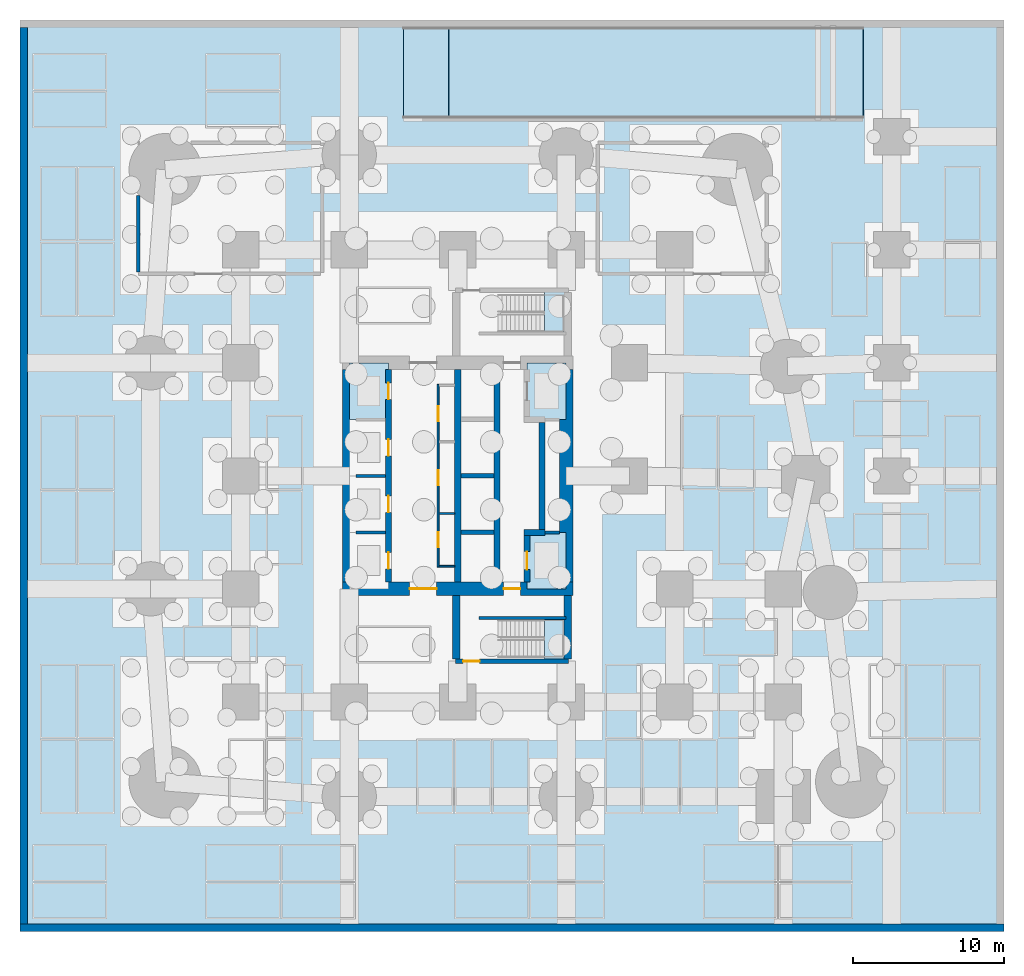
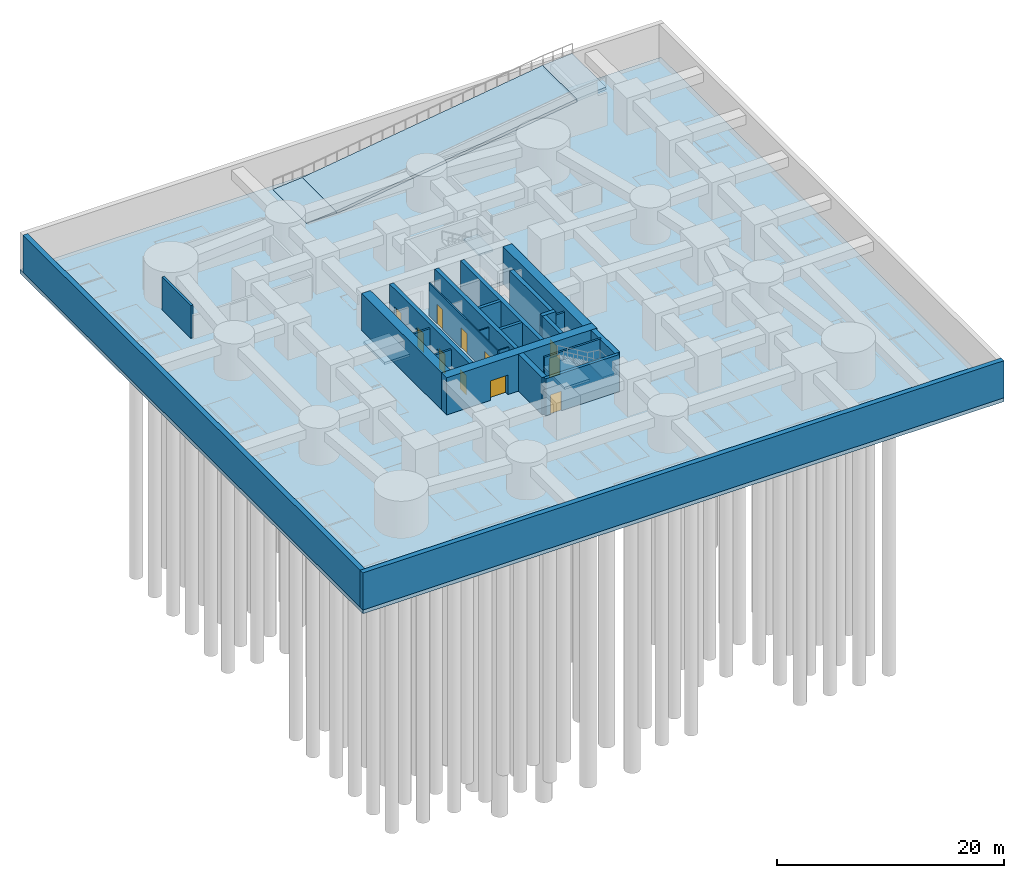
# One storey, part 3 of 10: 24 walls, 11 doors, 9 slabs, 11 openings, 3 elements without a shape of their own.
"""IFC4 building model written with IfcOpenShell, lengths in metres."""

from ifc_helpers import new_model, si_unit, direction, frame, frame_2d, origin, place, context, subcontext, project, spatial, polyline, rectangle, outline, extrude, material, layer, layer_set, type_object, element, fill, aggregate, save


model = new_model("IFC4")

# Units and contexts
model_context = context("Model", 3, precision=1e-05, world=origin(), true_north=direction((0.0, 1.0)))
body_context = subcontext(model_context, "Body", "Model", "MODEL_VIEW")
ifc_project = project(units=[si_unit("LENGTHUNIT", "METRE"), si_unit("AREAUNIT", "SQUARE_METRE"), si_unit("VOLUMEUNIT", "CUBIC_METRE"), si_unit("PLANEANGLEUNIT", "RADIAN"), si_unit("MASSUNIT", "GRAM", prefix="KILO")], contexts=[model_context])

# Site, building, storey
site_placement = place(None, origin())
site = spatial("IfcSite", under=ifc_project, at=site_placement, CompositionType="ELEMENT")
building_placement = place(site_placement, origin())
building = spatial("IfcBuilding", under=site, at=building_placement, Name="Sheger Commons Tower", CompositionType="ELEMENT")
storey_placement = place(building_placement, frame((0.0, 0.0, -8.0)))
storey = spatial("IfcBuildingStorey", under=building, at=storey_placement, Name="B2", CompositionType="ELEMENT", Elevation=-8.0)

# Slabs
ifc_material_1 = material(Name="Concrete C40/50", Category="concrete")
ifc_layer_1 = layer(ifc_material_1, 0.25)
ifc_layer_set_1 = layer_set([ifc_layer_1], Name="LIFT PIT SLAB 250")
slab_type_1 = type_object("IfcSlabType", Name="LIFT PIT SLAB 250", PredefinedType="FLOOR", material=ifc_layer_set_1)
slab_1_placement = place(storey_placement, frame((0.0, 0.0, -1.85009765625)))
element("IfcSlab", 1, at=slab_1_placement, inside=storey, type_object=slab_type_1, Name="Lift FL1 pit slab", PredefinedType="FLOOR", context=body_context, shape_type="SweptSolid", body=[
    extrude(outline(polyline([(26.199951171875, 15.0), (28.800048828125, 15.0), (28.800048828125, 18.75), (26.199951171875, 18.75), (26.199951171875, 15.0)])), origin(), (0.0, 0.0, 1.0), 0.25),
])
slab_2_placement = place(storey_placement, frame((0.0, 0.0, -1.85009765625)))
element("IfcSlab", 2, at=slab_2_placement, inside=storey, type_object=slab_type_1, Name="Lift FL2 pit slab", PredefinedType="FLOOR", context=body_context, shape_type="SweptSolid", body=[
    extrude(outline(polyline([(26.199951171875, 26.25), (28.800048828125, 26.25), (28.800048828125, 30.0), (26.199951171875, 30.0), (26.199951171875, 26.25)])), origin(), (0.0, 0.0, 1.0), 0.25),
])
slab_3_placement = place(storey_placement, frame((0.0, 0.0, -1.85009765625)))
element("IfcSlab", 3, at=slab_3_placement, inside=storey, type_object=slab_type_1, Name="Lift LA4 pit slab", PredefinedType="FLOOR", context=body_context, shape_type="SweptSolid", body=[
    extrude(outline(polyline([(14.39990234375, 26.25), (17.0, 26.25), (17.0, 30.0), (14.39990234375, 30.0), (14.39990234375, 26.25)])), origin(), (0.0, 0.0, 1.0), 0.25),
])

# Assembly, slabs
ifc_material_2 = material(Name="Concrete C35/45", Category="concrete")
element_assembly_type = type_object("IfcElementAssemblyType", Name="RAMP STRAIGHT 6000", PredefinedType="NOTDEFINED", material=ifc_material_2)
assembly_placement = place(storey_placement, origin())
assembly = element("IfcElementAssembly", 4, at=assembly_placement, inside=storey, type_object=element_assembly_type, Name="Car park ramp R2 to B2", PredefinedType="NOTDEFINED")
ifc_material_3 = material(Name="Concrete C35/45", Category="concrete")
slab_type_2 = type_object("IfcSlabType", Name="RAMP SLAB 300", PredefinedType="FLOOR", material=ifc_material_3)
slab_4_placement = place(storey_placement, frame((45.5, 46.25, 3.75), z_axis=(-0.083045479854, 0.0, 0.996545758245), x_axis=(0.0, 1.0, 0.0)))
slab_4 = element("IfcSlab", 5, at=slab_4_placement, type_object=slab_type_2, Name="R2 upper transition", ObjectType="Car park ramp slab", PredefinedType="FLOOR", context=body_context, shape_type="SweptSolid", body=[
    extrude(outline(polyline([(0.0, 0.0), (6.0, 0.0), (6.0, -3.010398644698074), (0.0, -3.010398644698074), (0.0, 0.0)])), origin(), (0.0, 0.0, -1.0), 0.300048828125),
])
slab_5_placement = place(storey_placement, frame((21.0, 46.25, 0.25), z_axis=(-0.141421356237, 0.0, 0.989949493661), x_axis=(0.0, 1.0, 0.0)))
slab_5 = element("IfcSlab", 6, at=slab_5_placement, type_object=slab_type_2, Name="R2 main run", ObjectType="Car park ramp slab", PredefinedType="FLOOR", context=body_context, shape_type="SweptSolid", body=[
    extrude(outline(polyline([(0.0, 0.0), (6.0, 0.0), (6.0, -24.74873734152916), (0.0, -24.74873734152916), (0.0, 0.0)])), origin(), (0.0, 0.0, -1.0), 0.300048828125),
])
slab_6_placement = place(storey_placement, frame((18.0, 46.25, 0.0), z_axis=(-0.083045479854, 0.0, 0.996545758245), x_axis=(0.0, 1.0, 0.0)))
slab_6 = element("IfcSlab", 7, at=slab_6_placement, type_object=slab_type_2, Name="R2 lower transition", ObjectType="Car park ramp slab", PredefinedType="FLOOR", context=body_context, shape_type="SweptSolid", body=[
    extrude(outline(polyline([(0.0, 0.0), (6.0, 0.0), (6.0, -3.010398644698074), (0.0, -3.010398644698074), (0.0, 0.0)])), origin(), (0.0, 0.0, -1.0), 0.300048828125),
])
aggregate(assembly, [slab_4, slab_5, slab_6])

# Slab
ifc_material_4 = material(Name="Concrete C40/50", Category="concrete")
ifc_layer_2 = layer(ifc_material_4, 0.39990234375)
ifc_layer_set_2 = layer_set([ifc_layer_2], Name="SLAB BASESLAB 400")
slab_type_3 = type_object("IfcSlabType", Name="SLAB BASESLAB 400", PredefinedType="BASESLAB", material=ifc_layer_set_2)
slab_7_placement = place(storey_placement, frame((0.0, 0.0, -0.39990234375)))
element("IfcSlab", 8, at=slab_7_placement, inside=storey, type_object=slab_type_3, Name="B2 base slab", PredefinedType="BASESLAB", context=body_context, shape_type="SweptSolid", body=[
    extrude(outline(polyline([(-7.449951171875, -7.75), (57.85009765625, -7.75), (57.85009765625, 52.75), (-7.449951171875, 52.75), (-7.449951171875, -7.75)]), holes=[polyline([(26.39990234375, 15.14990234375), (28.60009765625, 15.14990234375), (28.60009765625, 18.60009765625), (26.39990234375, 18.60009765625), (26.39990234375, 15.14990234375)]), polyline([(26.39990234375, 26.39990234375), (28.60009765625, 26.39990234375), (28.60009765625, 29.85009765625), (26.39990234375, 29.85009765625), (26.39990234375, 26.39990234375)]), polyline([(14.60009765625, 15.14990234375), (16.800048828125, 15.14990234375), (16.800048828125, 18.60009765625), (14.60009765625, 18.60009765625), (14.60009765625, 15.14990234375)]), polyline([(14.60009765625, 18.89990234375), (16.800048828125, 18.89990234375), (16.800048828125, 22.35009765625), (14.60009765625, 22.35009765625), (14.60009765625, 18.89990234375)]), polyline([(14.60009765625, 22.64990234375), (16.800048828125, 22.64990234375), (16.800048828125, 26.10009765625), (14.60009765625, 26.10009765625), (14.60009765625, 22.64990234375)]), polyline([(14.60009765625, 26.39990234375), (16.800048828125, 26.39990234375), (16.800048828125, 29.85009765625), (14.60009765625, 29.85009765625), (14.60009765625, 26.39990234375)]), polyline([(18.0, 46.25), (21.0, 46.25), (21.0, 52.25), (18.0, 52.25), (18.0, 46.25)])]), origin(), (0.0, 0.0, 1.0), 0.39990234375),
])

# Stair, slab
ifc_material_5 = material(Name="Concrete C35/45", Category="concrete")
stair_type = type_object("IfcStairType", Name="HALF-TURN STAIR 1200 RISE 4000", PredefinedType="HALF_TURN_STAIR", material=ifc_material_5)
stair_1_placement = place(storey_placement, origin())
stair_1 = element("IfcStair", 9, at=stair_1_placement, inside=storey, type_object=stair_type, Name="Stair S1 B2", PredefinedType="HALF_TURN_STAIR")
ifc_material_6 = material(Name="Concrete C35/45", Category="concrete")
ifc_layer_3 = layer(ifc_material_6, 0.199951171875)
ifc_layer_set_3 = layer_set([ifc_layer_3], Name="STAIR LANDING 200")
slab_type_4 = type_object("IfcSlabType", Name="STAIR LANDING 200", PredefinedType="LANDING", material=ifc_layer_set_3)
slab_8_placement = place(storey_placement, frame((0.0, 0.0, 1.800048828125)))
slab_8 = element("IfcSlab", 10, at=slab_8_placement, type_object=slab_type_4, Name="S1 landing 1", PredefinedType="LANDING", context=body_context, shape_type="SweptSolid", body=[
    extrude(outline(polyline([(27.35009765625, 10.199951171875), (28.800048828125, 10.199951171875), (28.800048828125, 12.949951171875), (27.35009765625, 12.949951171875), (27.35009765625, 10.199951171875)])), origin(), (0.0, 0.0, 1.0), 0.199951171875),
])
aggregate(stair_1, [slab_8])

stair_2_placement = place(storey_placement, origin())
stair_2 = element("IfcStair", 11, at=stair_2_placement, inside=storey, type_object=stair_type, Name="Stair S2 B2", PredefinedType="HALF_TURN_STAIR")
slab_9_placement = place(storey_placement, frame((0.0, 0.0, 1.800048828125)))
slab_9 = element("IfcSlab", 12, at=slab_9_placement, type_object=slab_type_4, Name="S2 landing 1", PredefinedType="LANDING", context=body_context, shape_type="SweptSolid", body=[
    extrude(outline(polyline([(27.35009765625, 32.050048828125), (28.800048828125, 32.050048828125), (28.800048828125, 34.800048828125), (27.35009765625, 34.800048828125), (27.35009765625, 32.050048828125)])), origin(), (0.0, 0.0, 1.0), 0.199951171875),
])
aggregate(stair_2, [slab_9])

# Wall, openings, doors
ifc_material_7 = material(Name="Concrete C50/60", Category="concrete")
ifc_layer_4 = layer(ifc_material_7, 0.39990234375)
ifc_layer_set_4 = layer_set([ifc_layer_4], Name="CORE INNER WALL 400")
wall_type_1 = type_object("IfcWallType", Name="CORE INNER WALL 400", PredefinedType="SHEAR", material=ifc_layer_set_4)
wall_1_placement = place(storey_placement, frame((17.0, 15.449951171875, 0.0), z_axis=(0.0, 0.0, 1.0), x_axis=(0.0, 1.0, 0.0)))
wall_1 = element("IfcWall", 13, at=wall_1_placement, inside=storey, type_object=wall_type_1, Name="Core inner wall A B2", PredefinedType="SHEAR", context=body_context, shape_type="SweptSolid", body=[
    extrude(rectangle(XDim=14.10009765625, YDim=0.39990234375, at=frame_2d((7.050048828125, 0.0))), origin(), (0.0, 0.0, 1.0), 4.0),
])
opening_1_placement = place(wall_1_placement, frame((0.875, 0.0, 0.0)))
opening_1 = element("IfcOpeningElement", 14, at=opening_1_placement, cuts=wall_1, Name="Opening LD", PredefinedType="OPENING", context=body_context, shape_type="SweptSolid", body=[
    extrude(rectangle(XDim=1.10009765625, YDim=2.10009765625, at=frame_2d((0.550048828125, 1.050048828125))), frame((0.0, 0.2099609375, 0.0), z_axis=(0.0, -1.0, 0.0), x_axis=(1.0, 0.0, 0.0)), (0.0, 0.0, 1.0), 0.419921875),
])
opening_2_placement = place(wall_1_placement, frame((4.625, 0.0, 0.0)))
opening_2 = element("IfcOpeningElement", 15, at=opening_2_placement, cuts=wall_1, Name="Opening LD", PredefinedType="OPENING", context=body_context, shape_type="SweptSolid", body=[
    extrude(rectangle(XDim=1.10009765625, YDim=2.10009765625, at=frame_2d((0.550048828125, 1.050048828125))), frame((0.0, 0.2099609375, 0.0), z_axis=(0.0, -1.0, 0.0), x_axis=(1.0, 0.0, 0.0)), (0.0, 0.0, 1.0), 0.419921875),
])
opening_3_placement = place(wall_1_placement, frame((8.375, 0.0, 0.0)))
opening_3 = element("IfcOpeningElement", 16, at=opening_3_placement, cuts=wall_1, Name="Opening LD", PredefinedType="OPENING", context=body_context, shape_type="SweptSolid", body=[
    extrude(rectangle(XDim=1.10009765625, YDim=2.10009765625, at=frame_2d((0.550048828125, 1.050048828125))), frame((0.0, 0.2099609375, 0.0), z_axis=(0.0, -1.0, 0.0), x_axis=(1.0, 0.0, 0.0)), (0.0, 0.0, 1.0), 0.419921875),
])
opening_4_placement = place(wall_1_placement, frame((12.125, 0.0, 0.0)))
opening_4 = element("IfcOpeningElement", 17, at=opening_4_placement, cuts=wall_1, Name="Opening LD", PredefinedType="OPENING", context=body_context, shape_type="SweptSolid", body=[
    extrude(rectangle(XDim=1.10009765625, YDim=2.10009765625, at=frame_2d((0.550048828125, 1.050048828125))), frame((0.0, 0.2099609375, 0.0), z_axis=(0.0, -1.0, 0.0), x_axis=(1.0, 0.0, 0.0)), (0.0, 0.0, 1.0), 0.419921875),
])
ifc_material_8 = material(Name="Steel door set, fire rated", Category="steel")
door_type_1 = type_object("IfcDoorType", Name="LIFT LANDING DOOR 1100x2100", OperationType="DOUBLE_DOOR_SLIDING", PredefinedType="DOOR", material=ifc_material_8)
door_1_placement = place(opening_1_placement, origin())
door_1 = element("IfcDoor", 18, at=door_1_placement, inside=storey, type_object=door_type_1, Name="Lift LA1 landing door", OperationType="DOUBLE_DOOR_SLIDING", OverallHeight=2.10009765625, OverallWidth=1.10009765625, PredefinedType="DOOR", context=body_context, shape_type="SweptSolid", body=[
    extrude(rectangle(XDim=1.10009765625, YDim=2.10009765625, at=frame_2d((0.550048828125, 1.050048828125))), frame((0.0, 0.02490234375, 0.0), z_axis=(0.0, -1.0, 0.0), x_axis=(1.0, 0.0, 0.0)), (0.0, 0.0, 1.0), 0.050048828125),
])
fill(opening_1, door_1)
door_2_placement = place(opening_2_placement, origin())
door_2 = element("IfcDoor", 19, at=door_2_placement, inside=storey, type_object=door_type_1, Name="Lift LA2 landing door", OperationType="DOUBLE_DOOR_SLIDING", OverallHeight=2.10009765625, OverallWidth=1.10009765625, PredefinedType="DOOR", context=body_context, shape_type="SweptSolid", body=[
    extrude(rectangle(XDim=1.10009765625, YDim=2.10009765625, at=frame_2d((0.550048828125, 1.050048828125))), frame((0.0, 0.02490234375, 0.0), z_axis=(0.0, -1.0, 0.0), x_axis=(1.0, 0.0, 0.0)), (0.0, 0.0, 1.0), 0.050048828125),
])
fill(opening_2, door_2)
door_3_placement = place(opening_3_placement, origin())
door_3 = element("IfcDoor", 20, at=door_3_placement, inside=storey, type_object=door_type_1, Name="Lift LA3 landing door", OperationType="DOUBLE_DOOR_SLIDING", OverallHeight=2.10009765625, OverallWidth=1.10009765625, PredefinedType="DOOR", context=body_context, shape_type="SweptSolid", body=[
    extrude(rectangle(XDim=1.10009765625, YDim=2.10009765625, at=frame_2d((0.550048828125, 1.050048828125))), frame((0.0, 0.02490234375, 0.0), z_axis=(0.0, -1.0, 0.0), x_axis=(1.0, 0.0, 0.0)), (0.0, 0.0, 1.0), 0.050048828125),
])
fill(opening_3, door_3)
door_4_placement = place(opening_4_placement, origin())
door_4 = element("IfcDoor", 21, at=door_4_placement, inside=storey, type_object=door_type_1, Name="Lift LA4 landing door", OperationType="DOUBLE_DOOR_SLIDING", OverallHeight=2.10009765625, OverallWidth=1.10009765625, PredefinedType="DOOR", context=body_context, shape_type="SweptSolid", body=[
    extrude(rectangle(XDim=1.10009765625, YDim=2.10009765625, at=frame_2d((0.550048828125, 1.050048828125))), frame((0.0, 0.02490234375, 0.0), z_axis=(0.0, -1.0, 0.0), x_axis=(1.0, 0.0, 0.0)), (0.0, 0.0, 1.0), 0.050048828125),
])
fill(opening_4, door_4)

# Walls
for number, where, z_axis, x_axis, name in (
    (22, (21.60009765625, 15.449951171875, 0.0), (0.0, 0.0, 1.0), (0.0, 1.0, 0.0), "Core inner wall L B2"),
    (23, (24.199951171875, 15.449951171875, 0.0), (0.0, 0.0, 1.0), (0.0, 1.0, 0.0), "Core inner wall B B2"),
):
    element("IfcWall", number, at=place(storey_placement, frame(where, z_axis=z_axis, x_axis=x_axis)), inside=storey, type_object=wall_type_1, Name=name, PredefinedType="SHEAR", context=body_context, shape_type="SweptSolid", body=[
        extrude(rectangle(XDim=14.10009765625, YDim=0.39990234375, at=frame_2d((7.050048828125, 0.0))), origin(), (0.0, 0.0, 1.0), 4.0),
    ])

# Wall, opening, door
wall_2_placement = place(storey_placement, frame((26.199951171875, 15.449951171875, 0.0), z_axis=(0.0, 0.0, 1.0), x_axis=(0.0, 1.0, 0.0)))
wall_2 = element("IfcWall", 24, at=wall_2_placement, inside=storey, type_object=wall_type_1, Name="Core inner wall F B2", PredefinedType="SHEAR", context=body_context, shape_type="SweptSolid", body=[
    extrude(rectangle(XDim=3.10009765625, YDim=0.39990234375, at=frame_2d((1.550048828125, 0.0))), origin(), (0.0, 0.0, 1.0), 4.0),
])
opening_5_placement = place(wall_2_placement, frame((0.824951171875, 0.0, 0.0)))
opening_5 = element("IfcOpeningElement", 25, at=opening_5_placement, cuts=wall_2, Name="Opening LD2", PredefinedType="OPENING", context=body_context, shape_type="SweptSolid", body=[
    extrude(rectangle(XDim=1.199951171875, YDim=2.10009765625, at=frame_2d((0.60009765625, 1.050048828125))), frame((0.0, 0.2099609375, 0.0), z_axis=(0.0, -1.0, 0.0), x_axis=(1.0, 0.0, 0.0)), (0.0, 0.0, 1.0), 0.419921875),
])
ifc_material_9 = material(Name="Steel door set, fire rated", Category="steel")
door_type_2 = type_object("IfcDoorType", Name="FIREFIGHTING LIFT LANDING DOOR 1200x2100", OperationType="DOUBLE_DOOR_SLIDING", PredefinedType="DOOR", material=ifc_material_9)
door_5_placement = place(opening_5_placement, origin())
door_5 = element("IfcDoor", 26, at=door_5_placement, inside=storey, type_object=door_type_2, Name="Lift FL1 landing door", OperationType="DOUBLE_DOOR_SLIDING", OverallHeight=2.10009765625, OverallWidth=1.199951171875, PredefinedType="DOOR", context=body_context, shape_type="SweptSolid", body=[
    extrude(rectangle(XDim=1.199951171875, YDim=2.10009765625, at=frame_2d((0.60009765625, 1.050048828125))), frame((0.0, 0.02490234375, 0.0), z_axis=(0.0, -1.0, 0.0), x_axis=(1.0, 0.0, 0.0)), (0.0, 0.0, 1.0), 0.050048828125),
])
fill(opening_5, door_5)

# Walls
wall_3_placement = place(storey_placement, frame((26.0, 18.75, 0.0), z_axis=(0.0, 0.0, 1.0), x_axis=(1.0, 0.0, 0.0)))
element("IfcWall", 27, at=wall_3_placement, inside=storey, type_object=wall_type_1, Name="Core inner wall F south return B2", PredefinedType="SHEAR", context=body_context, shape_type="SweptSolid", body=[
    extrude(rectangle(XDim=1.39990234375, YDim=0.39990234375, at=frame_2d((0.699951171875, 0.0))), origin(), (0.0, 0.0, 1.0), 4.0),
])
wall_4_placement = place(storey_placement, frame((27.199951171875, 18.949951171875, 0.0), z_axis=(0.0, 0.0, 1.0), x_axis=(0.0, 1.0, 0.0)))
element("IfcWall", 28, at=wall_4_placement, inside=storey, type_object=wall_type_1, Name="Core inner wall F middle B2", PredefinedType="SHEAR", context=body_context, shape_type="SweptSolid", body=[
    extrude(rectangle(XDim=7.10009765625, YDim=0.39990234375, at=frame_2d((3.550048828125, 0.0))), origin(), (0.0, 0.0, 1.0), 4.0),
])

# Wall, openings, doors
ifc_material_10 = material(Name="Concrete C50/60", Category="concrete")
ifc_layer_5 = layer(ifc_material_10, 0.89990234375)
ifc_layer_set_5 = layer_set([ifc_layer_5], Name="CORE WALL 900")
wall_type_2 = type_object("IfcWallType", Name="CORE WALL 900", PredefinedType="SHEAR", material=ifc_layer_set_5)
wall_5_placement = place(storey_placement, frame((13.949951171875, 15.0, 0.0), z_axis=(0.0, 0.0, 1.0), x_axis=(1.0, 0.0, 0.0)))
wall_5 = element("IfcWall", 29, at=wall_5_placement, inside=storey, type_object=wall_type_2, Name="Core wall south B2", PredefinedType="SHEAR", context=body_context, shape_type="SweptSolid", body=[
    extrude(rectangle(XDim=15.300048828125, YDim=0.89990234375, at=frame_2d((7.64990234375, 0.0))), origin(), (0.0, 0.0, 1.0), 4.0),
])
opening_6_placement = place(wall_5_placement, frame((4.449951171875, 0.0, 0.0)))
opening_6 = element("IfcOpeningElement", 30, at=opening_6_placement, cuts=wall_5, Name="Opening D6", PredefinedType="OPENING", context=body_context, shape_type="SweptSolid", body=[
    extrude(rectangle(XDim=1.800048828125, YDim=2.10009765625, at=frame_2d((0.89990234375, 1.050048828125))), frame((0.0, 0.4599609375, 0.0), z_axis=(0.0, -1.0, 0.0), x_axis=(1.0, 0.0, 0.0)), (0.0, 0.0, 1.0), 0.919921875),
])
opening_7_placement = place(wall_5_placement, frame((10.699951171875, 0.0, 0.0)))
opening_7 = element("IfcOpeningElement", 31, at=opening_7_placement, cuts=wall_5, Name="Opening D5", PredefinedType="OPENING", context=body_context, shape_type="SweptSolid", body=[
    extrude(rectangle(XDim=1.10009765625, YDim=2.10009765625, at=frame_2d((0.550048828125, 1.050048828125))), frame((0.0, 0.4599609375, 0.0), z_axis=(0.0, -1.0, 0.0), x_axis=(1.0, 0.0, 0.0)), (0.0, 0.0, 1.0), 0.919921875),
])
ifc_material_11 = material(Name="Steel door set, fire rated", Category="steel")
door_type_3 = type_object("IfcDoorType", Name="LOBBY DOUBLE DOOR 1800x2100", OperationType="DOUBLE_DOOR_SINGLE_SWING", PredefinedType="DOOR", material=ifc_material_11)
door_6_placement = place(opening_6_placement, origin())
door_6 = element("IfcDoor", 32, at=door_6_placement, inside=storey, type_object=door_type_3, Name="Lift lobby door", OperationType="DOUBLE_DOOR_SINGLE_SWING", OverallHeight=2.10009765625, OverallWidth=1.800048828125, PredefinedType="DOOR", context=body_context, shape_type="SweptSolid", body=[
    extrude(rectangle(XDim=1.800048828125, YDim=2.10009765625, at=frame_2d((0.89990234375, 1.050048828125))), frame((0.0, 0.02490234375, 0.0), z_axis=(0.0, -1.0, 0.0), x_axis=(1.0, 0.0, 0.0)), (0.0, 0.0, 1.0), 0.050048828125),
])
fill(opening_6, door_6)
ifc_material_12 = material(Name="Steel door set, fire rated", Category="steel")
door_type_4 = type_object("IfcDoorType", Name="STAIR DOOR 1100x2100", OperationType="NOTDEFINED", PredefinedType="DOOR", material=ifc_material_12)
door_7_placement = place(opening_7_placement, origin())
door_7 = element("IfcDoor", 33, at=door_7_placement, inside=storey, type_object=door_type_4, Name="Fire-fighting lobby door", OperationType="SINGLE_SWING_RIGHT", OverallHeight=2.10009765625, OverallWidth=1.10009765625, PredefinedType="DOOR", context=body_context, shape_type="SweptSolid", body=[
    extrude(rectangle(XDim=1.10009765625, YDim=2.10009765625, at=frame_2d((0.550048828125, 1.050048828125))), frame((0.0, 0.02490234375, 0.0), z_axis=(0.0, -1.0, 0.0), x_axis=(1.0, 0.0, 0.0)), (0.0, 0.0, 1.0), 0.050048828125),
])
fill(opening_7, door_7)

# Walls
for number, where, z_axis, x_axis, name in (
    (34, (14.39990234375, 15.449951171875, 0.0), (0.0, 0.0, 1.0), (0.0, 1.0, 0.0), "Core wall west B2"),
    (35, (28.800048828125, 15.449951171875, 0.0), (0.0, 0.0, 1.0), (0.0, 1.0, 0.0), "Core wall east B2"),
):
    element("IfcWall", number, at=place(storey_placement, frame(where, z_axis=z_axis, x_axis=x_axis)), inside=storey, type_object=wall_type_2, Name=name, PredefinedType="SHEAR", context=body_context, shape_type="SweptSolid", body=[
        extrude(rectangle(XDim=14.10009765625, YDim=0.89990234375, at=frame_2d((7.050048828125, 0.0))), origin(), (0.0, 0.0, 1.0), 4.0),
    ])
ifc_material_13 = material(Name="Dense concrete block masonry, skimmed both sides", Category="masonry")
ifc_layer_6 = layer(ifc_material_13, 0.22509765625)
ifc_layer_set_6 = layer_set([ifc_layer_6], Name="FIRE WALL 225")
wall_type_3 = type_object("IfcWallType", Name="FIRE WALL 225", PredefinedType="SOLIDWALL", material=ifc_layer_set_6)
wall_6_placement = place(storey_placement, frame((0.39990234375, 36.011962890625, 0.0), z_axis=(0.0, 0.0, 1.0), x_axis=(0.0, 1.0, 0.0)))
element("IfcWall", 36, at=wall_6_placement, inside=storey, type_object=wall_type_3, Name="Plant room wall B2", PredefinedType="SOLIDWALL", context=body_context, shape_type="SweptSolid", body=[
    extrude(rectangle(XDim=5.08203125, YDim=0.22509765625, at=frame_2d((2.541015625, 0.0))), origin(), (0.0, 0.0, 1.0), 3.550048828125),
])
ifc_material_14 = material(Name="Concrete C40/50", Category="concrete")
ifc_layer_7 = layer(ifc_material_14, 0.300048828125)
ifc_layer_set_7 = layer_set([ifc_layer_7], Name="LIFT PIT WALL 300")
wall_type_4 = type_object("IfcWallType", Name="LIFT PIT WALL 300", PredefinedType="SHEAR", material=ifc_layer_set_7)
for number, where, z_axis, x_axis, name in (
    (37, (21.800048828125, 18.75, 0.0), (0.0, 0.0, 1.0), (1.0, 0.0, 0.0), "Lift pit wall B2"),
    (38, (21.800048828125, 22.5, 0.0), (0.0, 0.0, 1.0), (1.0, 0.0, 0.0), "Lift pit wall B2"),
):
    element("IfcWall", number, at=place(storey_placement, frame(where, z_axis=z_axis, x_axis=x_axis)), inside=storey, type_object=wall_type_4, Name=name, PredefinedType="SHEAR", context=body_context, shape_type="SweptSolid", body=[
        extrude(rectangle(XDim=2.199951171875, YDim=0.300048828125, at=frame_2d((1.10009765625, 0.0))), origin(), (0.0, 0.0, 1.0), 4.0),
    ])
ifc_material_15 = material(Name="Concrete C40/50", Category="concrete")
ifc_layer_8 = layer(ifc_material_15, 0.5)
ifc_layer_set_8 = layer_set([ifc_layer_8], Name="RETAINING WALL 500")
wall_type_5 = type_object("IfcWallType", Name="RETAINING WALL 500", PredefinedType="SOLIDWALL", material=ifc_layer_set_8)
wall_7_placement = place(storey_placement, frame((-7.449951171875, -7.5, 0.0), z_axis=(0.0, 0.0, 1.0), x_axis=(1.0, 0.0, 0.0)))
element("IfcWall", 39, at=wall_7_placement, inside=storey, type_object=wall_type_5, Name="Retaining wall south B2", PredefinedType="SOLIDWALL", context=body_context, shape_type="SweptSolid", body=[
    extrude(rectangle(XDim=65.300048828125, YDim=0.5, at=frame_2d((32.64990234375, 0.0))), origin(), (0.0, 0.0, 1.0), 4.0),
])
wall_8_placement = place(storey_placement, frame((-7.199951171875, 52.25, 0.0), z_axis=(0.0, 0.0, 1.0), x_axis=(0.0, -1.0, 0.0)))
element("IfcWall", 40, at=wall_8_placement, inside=storey, type_object=wall_type_5, Name="Retaining wall west B2", PredefinedType="SOLIDWALL", context=body_context, shape_type="SweptSolid", body=[
    extrude(rectangle(XDim=59.5, YDim=0.5, at=frame_2d((29.75, 0.0))), origin(), (0.0, 0.0, 1.0), 4.0),
])

# Wall, openings, doors
ifc_material_16 = material(Name="Gypsum board on steel studs, two layers each side, fire rated", Category="steel")
ifc_layer_9 = layer(ifc_material_16, 0.125)
ifc_layer_set_9 = layer_set([ifc_layer_9], Name="SERVICE WALL 125")
wall_type_6 = type_object("IfcWallType", Name="SERVICE WALL 125", PredefinedType="PARTITIONING", material=ifc_layer_set_9)
wall_9_placement = place(storey_placement, frame((20.300048828125, 16.43798828125, 0.0), z_axis=(0.0, 0.0, 1.0), x_axis=(0.0, 1.0, 0.0)))
wall_9 = element("IfcWall", 41, at=wall_9_placement, inside=storey, type_object=wall_type_6, Name="Service room wall B2", PredefinedType="PARTITIONING", context=body_context, shape_type="SweptSolid", body=[
    extrude(rectangle(XDim=12.1240234375, YDim=0.125, at=frame_2d((6.06201171875, 0.0))), origin(), (0.0, 0.0, 1.0), 3.550048828125),
])
opening_8_placement = place(wall_9_placement, frame((1.31201171875, 0.0, 0.0)))
opening_8 = element("IfcOpeningElement", 42, at=opening_8_placement, cuts=wall_9, Name="Opening D4", PredefinedType="OPENING", context=body_context, shape_type="SweptSolid", body=[
    extrude(rectangle(XDim=1.0, YDim=2.10009765625, at=frame_2d((0.5, 1.050048828125))), frame((0.0, 0.072509765625, 0.0), z_axis=(0.0, -1.0, 0.0), x_axis=(1.0, 0.0, 0.0)), (0.0, 0.0, 1.0), 0.14501953125),
])
opening_9_placement = place(wall_9_placement, frame((5.43701171875, 0.0, 0.0)))
opening_9 = element("IfcOpeningElement", 43, at=opening_9_placement, cuts=wall_9, Name="Opening D4", PredefinedType="OPENING", context=body_context, shape_type="SweptSolid", body=[
    extrude(rectangle(XDim=1.0, YDim=2.10009765625, at=frame_2d((0.5, 1.050048828125))), frame((0.0, 0.072509765625, 0.0), z_axis=(0.0, -1.0, 0.0), x_axis=(1.0, 0.0, 0.0)), (0.0, 0.0, 1.0), 0.14501953125),
])
opening_10_placement = place(wall_9_placement, frame((9.68701171875, 0.0, 0.0)))
opening_10 = element("IfcOpeningElement", 44, at=opening_10_placement, cuts=wall_9, Name="Opening D4", PredefinedType="OPENING", context=body_context, shape_type="SweptSolid", body=[
    extrude(rectangle(XDim=1.0, YDim=2.10009765625, at=frame_2d((0.5, 1.050048828125))), frame((0.0, 0.072509765625, 0.0), z_axis=(0.0, -1.0, 0.0), x_axis=(1.0, 0.0, 0.0)), (0.0, 0.0, 1.0), 0.14501953125),
])
ifc_material_17 = material(Name="Steel door set, fire rated", Category="steel")
door_type_5 = type_object("IfcDoorType", Name="SERVICE DOOR 1000x2100", OperationType="NOTDEFINED", PredefinedType="DOOR", material=ifc_material_17)
door_8_placement = place(opening_8_placement, origin())
door_8 = element("IfcDoor", 45, at=door_8_placement, inside=storey, type_object=door_type_5, Name="Cleaner's cupboard door", OperationType="SINGLE_SWING_RIGHT", OverallHeight=2.10009765625, OverallWidth=1.0, PredefinedType="DOOR", context=body_context, shape_type="SweptSolid", body=[
    extrude(rectangle(XDim=1.0, YDim=2.10009765625, at=frame_2d((0.5, 1.050048828125))), frame((0.0, 0.02490234375, 0.0), z_axis=(0.0, -1.0, 0.0), x_axis=(1.0, 0.0, 0.0)), (0.0, 0.0, 1.0), 0.050048828125),
])
fill(opening_8, door_8)
door_9_placement = place(opening_9_placement, origin())
door_9 = element("IfcDoor", 46, at=door_9_placement, inside=storey, type_object=door_type_5, Name="Communications cupboard door", OperationType="SINGLE_SWING_LEFT", OverallHeight=2.10009765625, OverallWidth=1.0, PredefinedType="DOOR", context=body_context, shape_type="SweptSolid", body=[
    extrude(rectangle(XDim=1.0, YDim=2.10009765625, at=frame_2d((0.5, 1.050048828125))), frame((0.0, 0.02490234375, 0.0), z_axis=(0.0, -1.0, 0.0), x_axis=(1.0, 0.0, 0.0)), (0.0, 0.0, 1.0), 0.050048828125),
])
fill(opening_9, door_9)
door_10_placement = place(opening_10_placement, origin())
door_10 = element("IfcDoor", 47, at=door_10_placement, inside=storey, type_object=door_type_5, Name="Electrical cupboard door", OperationType="SINGLE_SWING_LEFT", OverallHeight=2.10009765625, OverallWidth=1.0, PredefinedType="DOOR", context=body_context, shape_type="SweptSolid", body=[
    extrude(rectangle(XDim=1.0, YDim=2.10009765625, at=frame_2d((0.5, 1.050048828125))), frame((0.0, 0.02490234375, 0.0), z_axis=(0.0, -1.0, 0.0), x_axis=(1.0, 0.0, 0.0)), (0.0, 0.0, 1.0), 0.050048828125),
])
fill(opening_10, door_10)

# Walls
for number, where, z_axis, x_axis, name in (
    (48, (20.363037109375, 16.5, 0.0), (0.0, 0.0, 1.0), (1.0, 0.0, 0.0), "Service room wall B2"),
    (49, (20.363037109375, 20.0, 0.0), (0.0, 0.0, 1.0), (1.0, 0.0, 0.0), "Service room wall B2"),
):
    element("IfcWall", number, at=place(storey_placement, frame(where, z_axis=z_axis, x_axis=x_axis)), inside=storey, type_object=wall_type_6, Name=name, PredefinedType="PARTITIONING", context=body_context, shape_type="SweptSolid", body=[
        extrude(rectangle(XDim=1.036865234375, YDim=0.125, at=frame_2d((0.5185546875, 0.0))), origin(), (0.0, 0.0, 1.0), 3.550048828125),
    ])
ifc_material_18 = material(Name="Hollow concrete block masonry", Category="masonry")
ifc_layer_10 = layer(ifc_material_18, 0.199951171875)
ifc_layer_set_10 = layer_set([ifc_layer_10], Name="SHAFT WALL 200")
wall_type_7 = type_object("IfcWallType", Name="SHAFT WALL 200", PredefinedType="SOLIDWALL", material=ifc_layer_set_10)
for number, where, z_axis, x_axis, name in (
    (50, (14.85009765625, 18.75, 0.0), (0.0, 0.0, 1.0), (1.0, 0.0, 0.0), "Lift shaft wall B2"),
    (51, (14.85009765625, 22.5, 0.0), (0.0, 0.0, 1.0), (1.0, 0.0, 0.0), "Lift shaft wall B2"),
):
    element("IfcWall", number, at=place(storey_placement, frame(where, z_axis=z_axis, x_axis=x_axis)), inside=storey, type_object=wall_type_7, Name=name, PredefinedType="SOLIDWALL", context=body_context, shape_type="SweptSolid", body=[
        extrude(rectangle(XDim=1.949951171875, YDim=0.199951171875, at=frame_2d((0.97509765625, 0.0))), origin(), (0.0, 0.0, 1.0), 3.550048828125),
    ])
wall_10_placement = place(storey_placement, frame((27.39990234375, 18.75, 0.0), z_axis=(0.0, 0.0, 1.0), x_axis=(1.0, 0.0, 0.0)))
element("IfcWall", 52, at=wall_10_placement, inside=storey, type_object=wall_type_7, Name="Lift shaft wall B2", PredefinedType="SOLIDWALL", context=body_context, shape_type="SweptSolid", body=[
    extrude(rectangle(XDim=0.9501953125, YDim=0.199951171875, at=frame_2d((0.47509765625, 0.0))), origin(), (0.0, 0.0, 1.0), 3.550048828125),
])

# Wall, opening, door
ifc_material_19 = material(Name="Concrete C50/60", Category="concrete")
ifc_layer_11 = layer(ifc_material_19, 0.300048828125)
ifc_layer_set_11 = layer_set([ifc_layer_11], Name="STAIR CORE WALL 300")
wall_type_8 = type_object("IfcWallType", Name="STAIR CORE WALL 300", PredefinedType="SHEAR", material=ifc_layer_set_11)
wall_11_placement = place(storey_placement, frame((21.449951171875, 10.199951171875, 0.0), z_axis=(0.0, 0.0, 1.0), x_axis=(1.0, 0.0, 0.0)))
wall_11 = element("IfcWall", 53, at=wall_11_placement, inside=storey, type_object=wall_type_8, Name="STW-B2-S1S", PredefinedType="SHEAR", context=body_context, shape_type="SweptSolid", body=[
    extrude(rectangle(XDim=7.5, YDim=0.300048828125, at=frame_2d((3.75, 0.0))), origin(), (0.0, 0.0, 1.0), 4.0),
])
opening_11_placement = place(wall_11_placement, frame((0.5, 0.0, 0.0)))
opening_11 = element("IfcOpeningElement", 54, at=opening_11_placement, cuts=wall_11, Name="Opening D5", PredefinedType="OPENING", context=body_context, shape_type="SweptSolid", body=[
    extrude(rectangle(XDim=1.10009765625, YDim=2.10009765625, at=frame_2d((0.550048828125, 1.050048828125))), frame((0.0, 0.159912109375, 0.0), z_axis=(0.0, -1.0, 0.0), x_axis=(1.0, 0.0, 0.0)), (0.0, 0.0, 1.0), 0.320068359375),
])
door_11_placement = place(opening_11_placement, origin())
door_11 = element("IfcDoor", 55, at=door_11_placement, inside=storey, type_object=door_type_4, Name="Stair S1 door", OperationType="SINGLE_SWING_LEFT", OverallHeight=2.10009765625, OverallWidth=1.10009765625, PredefinedType="DOOR", context=body_context, shape_type="SweptSolid", body=[
    extrude(rectangle(XDim=1.10009765625, YDim=2.10009765625, at=frame_2d((0.550048828125, 1.050048828125))), frame((0.0, 0.02490234375, 0.0), z_axis=(0.0, -1.0, 0.0), x_axis=(1.0, 0.0, 0.0)), (0.0, 0.0, 1.0), 0.050048828125),
])
fill(opening_11, door_11)

# Walls
ifc_material_20 = material(Name="Concrete C50/60", Category="concrete")
ifc_layer_12 = layer(ifc_material_20, 0.5)
ifc_layer_set_12 = layer_set([ifc_layer_12], Name="STAIR CORE WALL 500")
wall_type_9 = type_object("IfcWallType", Name="STAIR CORE WALL 500", PredefinedType="SHEAR", material=ifc_layer_set_12)
for number, where, z_axis, x_axis, name in (
    (56, (21.5, 10.35009765625, 0.0), (0.0, 0.0, 1.0), (0.0, 1.0, 0.0), "STW-B2-S1W"),
    (57, (28.89990234375, 10.35009765625, 0.0), (0.0, 0.0, 1.0), (0.0, 1.0, 0.0), "STW-B2-S1E"),
):
    element("IfcWall", number, at=place(storey_placement, frame(where, z_axis=z_axis, x_axis=x_axis)), inside=storey, type_object=wall_type_9, Name=name, PredefinedType="SHEAR", context=body_context, shape_type="SweptSolid", body=[
        extrude(rectangle(XDim=4.199951171875, YDim=0.5, at=frame_2d((2.10009765625, 0.0))), origin(), (0.0, 0.0, 1.0), 4.0),
    ])
ifc_material_21 = material(Name="Concrete C50/60", Category="concrete")
ifc_layer_13 = layer(ifc_material_21, 0.199951171875)
ifc_layer_set_13 = layer_set([ifc_layer_13], Name="STAIR SPINE WALL 200")
wall_type_10 = type_object("IfcWallType", Name="STAIR SPINE WALL 200", PredefinedType="SHEAR", material=ifc_layer_set_13)
wall_12_placement = place(storey_placement, frame((23.0, 13.050048828125, 0.0), z_axis=(0.0, 0.0, 1.0), x_axis=(1.0, 0.0, 0.0)))
element("IfcWall", 58, at=wall_12_placement, inside=storey, type_object=wall_type_10, Name="Stair spine wall B2", PredefinedType="SHEAR", context=body_context, shape_type="SweptSolid", body=[
    extrude(rectangle(XDim=5.800048828125, YDim=0.199951171875, at=frame_2d((2.89990234375, 0.0))), origin(), (0.0, 0.0, 1.0), 4.0),
])

save(model, "model.ifc")
